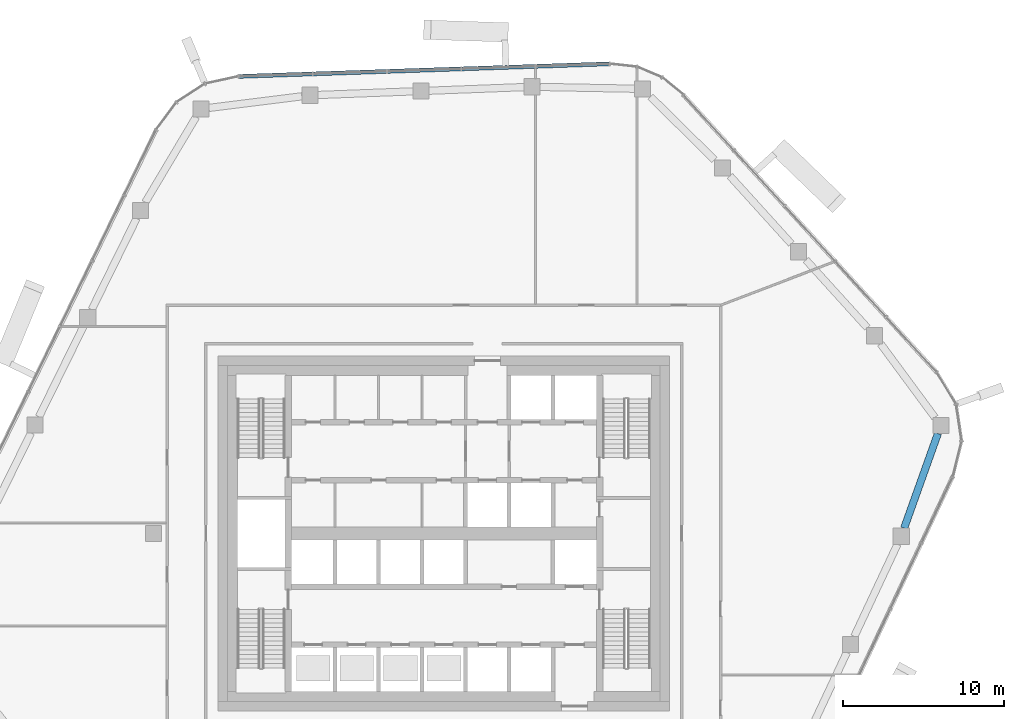
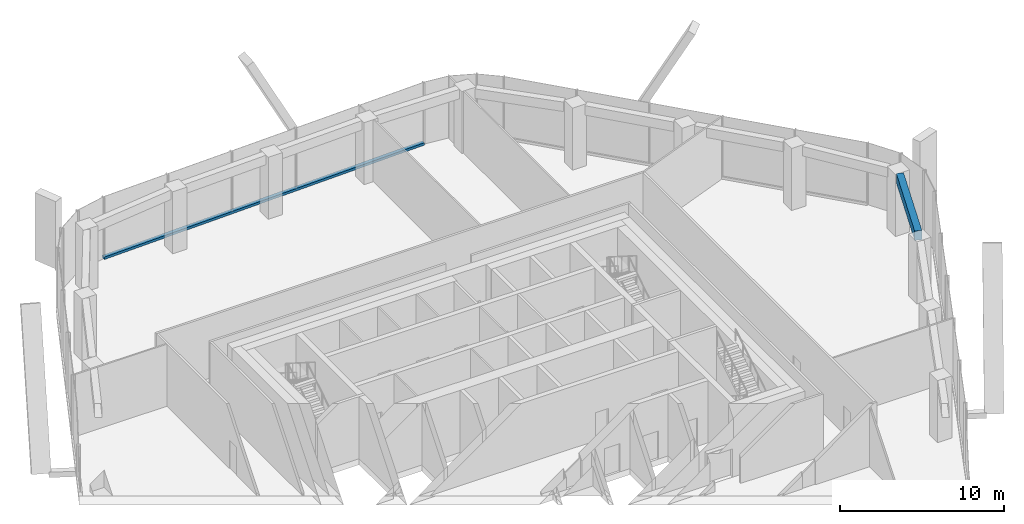
# One storey, part 6 of 20: 1 beam, 1 member, 1 element without a shape of its own.
"""IFC4 building model written with IfcOpenShell, lengths in metres."""

from ifc_helpers import new_model, si_unit, direction, frame, origin, origin_2d, place, context, subcontext, project, spatial, rectangle, extrude, material, layer, layer_set, material_profile, profile_set, type_object, element, aggregate, save


model = new_model("IFC4")

# Units and contexts
model_context = context("Model", 3, precision=1e-05, world=origin(), true_north=direction((0.0, 1.0)))
body_context = subcontext(model_context, "Body", "Model", "MODEL_VIEW")
ifc_project = project(units=[si_unit("LENGTHUNIT", "METRE"), si_unit("AREAUNIT", "SQUARE_METRE"), si_unit("VOLUMEUNIT", "CUBIC_METRE"), si_unit("PLANEANGLEUNIT", "RADIAN"), si_unit("MASSUNIT", "GRAM", prefix="KILO")], contexts=[model_context])

# Site, building, storey
site_placement = place(None, origin())
site = spatial("IfcSite", under=ifc_project, at=site_placement, CompositionType="ELEMENT")
building_placement = place(site_placement, origin())
building = spatial("IfcBuilding", under=site, at=building_placement, Name="Dongbaek Canopy Tower", CompositionType="ELEMENT")
storey_placement = place(building_placement, frame((0.0, 0.0, 289.199951171875)))
storey = spatial("IfcBuildingStorey", under=building, at=storey_placement, Name="L61", CompositionType="ELEMENT", Elevation=289.199951171875)

# Curtain wall, member
ifc_material_1 = material(Name="Aluminium 6063-T6 pale anodised", Category="aluminium")
ifc_layer = layer(ifc_material_1, 0.25)
ifc_layer_set = layer_set([ifc_layer], Name="CW-4 sky-lobby curtain wall")
curtain_wall_type = type_object("IfcCurtainWallType", Name="CW-4 sky-lobby curtain wall", PredefinedType="NOTDEFINED", material=ifc_layer_set)
curtain_wall_placement = place(storey_placement, origin())
curtain_wall = element("IfcCurtainWall", 1, at=curtain_wall_placement, inside=storey, type_object=curtain_wall_type, Name="CW-4 curtain wall F1.1", PredefinedType="NOTDEFINED")
ifc_material_2 = material(Name="Aluminium 6063-T6 pale anodised", Category="aluminium")
ifc_material_profile_1 = material_profile(ifc_material_2, rectangle(XDim=0.25, YDim=0.179931640625, at=origin_2d()), Name="CW-4 transom 180 x 250")
ifc_profile_set_1 = profile_set([ifc_material_profile_1], Name="Aluminium 6063-T6 pale anodised")
member_type = type_object("IfcMemberType", Name="CW-4 transom 180 x 250", PredefinedType="USERDEFINED", material=ifc_profile_set_1)
member_placement = place(storey_placement, frame((10.279052734375, 29.116943359375, 0.090087890625), z_axis=(-0.999424692684, -0.033915831906, 0.0), x_axis=(0.033915831906, -0.999424692684, 0.0)))
member = element("IfcMember", 2, at=member_placement, type_object=member_type, Name="CW-4 transom F1.1.1", ObjectType="TRANSOM", PredefinedType="USERDEFINED", context=body_context, shape_type="SweptSolid", body=[
    extrude(rectangle(XDim=0.25, YDim=0.179931640625, at=origin_2d()), origin(), (0.0, 0.0, 1.0), 23.0205078125),
])
aggregate(curtain_wall, [member])

# Beam
ifc_material_3 = material(Name="Concrete C60", Category="concrete")
ifc_material_profile_2 = material_profile(ifc_material_3, rectangle(XDim=0.449951171875, YDim=0.699951171875, at=origin_2d()), Name="RC EDGE BEAM 450x700 C60")
ifc_profile_set_2 = profile_set([ifc_material_profile_2], Name="Concrete C60")
beam_type = type_object("IfcBeamType", Name="RC EDGE BEAM 450x700 C60", PredefinedType="BEAM", material=ifc_profile_set_2)
beam_placement = place(storey_placement, frame((30.626220703125, 6.197998046875, 4.27001953125), z_axis=(-0.336443121865, -0.941703788752, 0.0), x_axis=(0.941703788752, -0.336443121865, 0.0)))
element("IfcBeam", 3, at=beam_placement, inside=storey, type_object=beam_type, Name="EDGEBEAM:L61:21", PredefinedType="BEAM", context=body_context, shape_type="SweptSolid", body=[
    extrude(rectangle(XDim=0.449951171875, YDim=0.699951171875, at=origin_2d()), origin(), (0.0, 0.0, 1.0), 6.231201171875),
])

save(model, "model.ifc")
